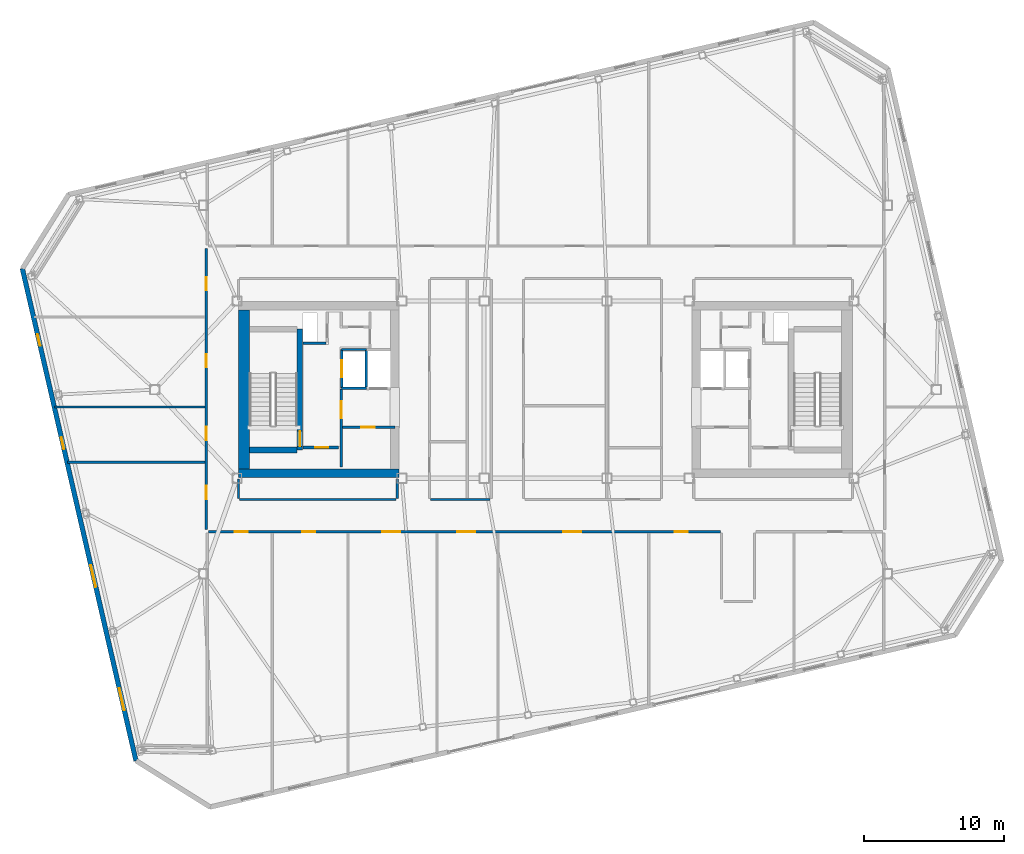
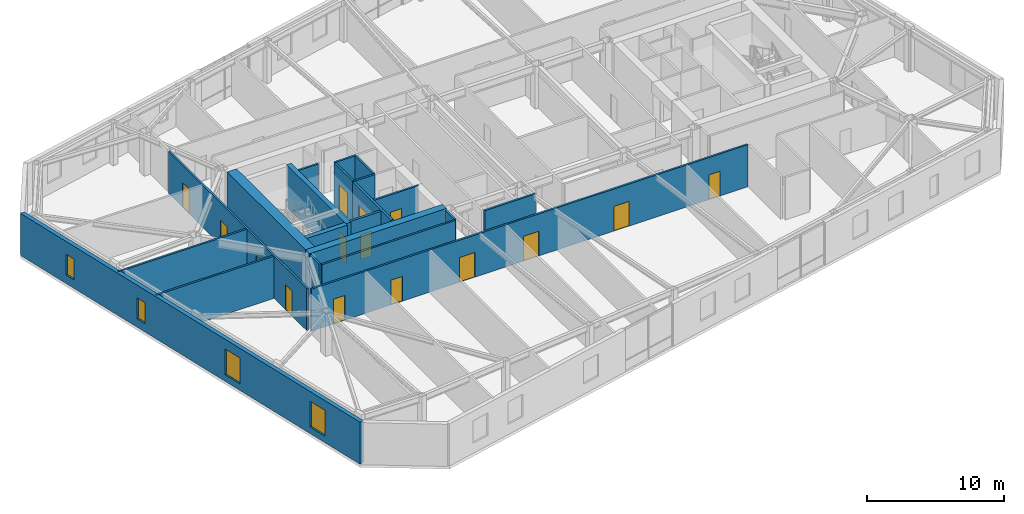
# One storey, part 16 of 23: 21 walls, 15 doors, 4 windows, 19 openings.
"""IFC4 building model written with IfcOpenShell, lengths in metres."""

from ifc_helpers import new_model, si_unit, direction, frame, frame_2d, origin, place, context, subcontext, project, spatial, rectangle, extrude, material, layer, layer_set, type_object, element, fill, save


model = new_model("IFC4")

# Units and contexts
model_context = context("Model", 3, precision=1e-05, world=origin(), true_north=direction((0.0, 1.0)))
body_context = subcontext(model_context, "Body", "Model", "MODEL_VIEW")
ifc_project = project(units=[si_unit("LENGTHUNIT", "METRE"), si_unit("AREAUNIT", "SQUARE_METRE"), si_unit("VOLUMEUNIT", "CUBIC_METRE"), si_unit("PLANEANGLEUNIT", "RADIAN"), si_unit("MASSUNIT", "GRAM", prefix="KILO")], contexts=[model_context])

# Site, building, storey
site_placement = place(None, origin())
site = spatial("IfcSite", under=ifc_project, at=site_placement, CompositionType="ELEMENT")
building_placement = place(site_placement, origin())
building = spatial("IfcBuilding", under=site, at=building_placement, Name="Tavrogorsk Clinical Tower", CompositionType="ELEMENT")
storey_placement = place(building_placement, frame((0.0, 0.0, 297.0)))
storey = spatial("IfcBuildingStorey", under=building, at=storey_placement, Name="L69", CompositionType="ELEMENT", Elevation=297.0)

# Wall, opening, door
ifc_material_1 = material(Name="Concrete B60", Category="concrete")
ifc_layer_1 = layer(ifc_material_1, 0.199951171875)
ifc_layer_set_1 = layer_set([ifc_layer_1], Name="Concrete B60")
wall_type_1 = type_object("IfcWallType", Name="CoreFireWall_200", PredefinedType="SOLIDWALL", material=ifc_layer_set_1)
wall_1_placement = place(storey_placement, frame((-17.3798828125, -4.139892578125, 0.0), z_axis=(0.0, 0.0, 1.0), x_axis=(1.0, 0.0, 0.0)))
wall_1 = element("IfcWall", 1, at=wall_1_placement, inside=storey, type_object=wall_type_1, Name="L69 Core West South Core Room Fire Wall", PredefinedType="SOLIDWALL", context=body_context, shape_type="SweptSolid", body=[
    extrude(rectangle(XDim=2.554931640625, YDim=0.199951171875, at=frame_2d((1.27734375, 0.0))), origin(), (0.0, 0.0, 1.0), 3.739990234375),
])
opening_1_placement = place(wall_1_placement, frame((0.8798828125, 0.0, 0.0)))
opening_1 = element("IfcOpeningElement", 2, at=opening_1_placement, cuts=wall_1, Name="Opening ID-02", PredefinedType="OPENING", context=body_context, shape_type="SweptSolid", body=[
    extrude(rectangle(XDim=0.949951171875, YDim=2.199951171875, at=frame_2d((0.47509765625, 1.10009765625))), frame((0.0, 0.10986328125, 0.0), z_axis=(0.0, -1.0, 0.0), x_axis=(1.0, 0.0, 0.0)), (0.0, 0.0, 1.0), 0.219970703125),
])
ifc_material_2 = material(Name="Laminated timber leaf on aluminium frame", Category="wood")
door_type_1 = type_object("IfcDoorType", Name="InteriorDoor_ID02_950", OperationType="NOTDEFINED", PredefinedType="DOOR", material=ifc_material_2)
door_1_placement = place(opening_1_placement, origin())
door_1 = element("IfcDoor", 3, at=door_1_placement, inside=storey, type_object=door_type_1, Name="L69 Core West South Core Room Door", OperationType="SINGLE_SWING_RIGHT", OverallHeight=2.199951171875, OverallWidth=0.949951171875, PredefinedType="DOOR", context=body_context, shape_type="SweptSolid", body=[
    extrude(rectangle(XDim=0.949951171875, YDim=2.199951171875, at=frame_2d((0.47509765625, 1.10009765625))), frame((0.0, 0.02490234375, 0.0), z_axis=(0.0, -1.0, 0.0), x_axis=(1.0, 0.0, 0.0)), (0.0, 0.0, 1.0), 0.050048828125),
])
fill(opening_1, door_1)

wall_2_placement = place(storey_placement, frame((-14.639892578125, -5.56005859375, 0.0), z_axis=(0.0, 0.0, 1.0), x_axis=(0.0, 1.0, 0.0)))
wall_2 = element("IfcWall", 4, at=wall_2_placement, inside=storey, type_object=wall_type_1, Name="L69 Core West Firefighting Lobby Fire Wall", PredefinedType="SOLIDWALL", context=body_context, shape_type="SweptSolid", body=[
    extrude(rectangle(XDim=5.60009765625, YDim=0.199951171875, at=frame_2d((2.800048828125, 0.0))), origin(), (0.0, 0.0, 1.0), 3.739990234375),
])
opening_2_placement = place(wall_2_placement, frame((3.510009765625, 0.0, 0.0)))
opening_2 = element("IfcOpeningElement", 5, at=opening_2_placement, cuts=wall_2, Name="Opening FD-01", PredefinedType="OPENING", context=body_context, shape_type="SweptSolid", body=[
    extrude(rectangle(XDim=1.199951171875, YDim=2.199951171875, at=frame_2d((0.60009765625, 1.10009765625))), frame((0.0, 0.10986328125, 0.0), z_axis=(0.0, -1.0, 0.0), x_axis=(1.0, 0.0, 0.0)), (0.0, 0.0, 1.0), 0.219970703125),
])
ifc_material_3 = material(Name="Galvanised steel fire-rated door assembly", Category="steel")
door_type_2 = type_object("IfcDoorType", Name="FireDoor_FD01_1200", OperationType="NOTDEFINED", PredefinedType="DOOR", material=ifc_material_3)
door_2_placement = place(opening_2_placement, origin())
door_2 = element("IfcDoor", 6, at=door_2_placement, inside=storey, type_object=door_type_2, Name="L69 Core West Firefighting Lobby Entry Door", OperationType="SINGLE_SWING_RIGHT", OverallHeight=2.199951171875, OverallWidth=1.199951171875, PredefinedType="DOOR", context=body_context, shape_type="SweptSolid", body=[
    extrude(rectangle(XDim=1.199951171875, YDim=2.199951171875, at=frame_2d((0.60009765625, 1.10009765625))), frame((0.0, 0.02490234375, 0.0), z_axis=(0.0, -1.0, 0.0), x_axis=(1.0, 0.0, 0.0)), (0.0, 0.0, 1.0), 0.050048828125),
])
fill(opening_2, door_2)

ifc_material_4 = material(Name="Lightweight concrete blockwork B15", Category="masonry")
ifc_layer_2 = layer(ifc_material_4, 0.159912109375)
ifc_layer_set_2 = layer_set([ifc_layer_2], Name="Lightweight concrete blockwork B15")
wall_type_2 = type_object("IfcWallType", Name="PartitionWall_160", PredefinedType="PARTITIONING", material=ifc_layer_set_2)
wall_3_placement = place(storey_placement, frame((-14.534912109375, -2.699951171875, 0.0), z_axis=(0.0, 0.0, 1.0), x_axis=(1.0, 0.0, 0.0)))
wall_3 = element("IfcWall", 7, at=wall_3_placement, inside=storey, type_object=wall_type_2, Name="L69 Core West Freed Mid-Bank North Partition", PredefinedType="PARTITIONING", context=body_context, shape_type="SweptSolid", body=[
    extrude(rectangle(XDim=3.73486328125, YDim=0.159912109375, at=frame_2d((1.867431640625, 0.0))), origin(), (0.0, 0.0, 1.0), 3.739990234375),
])
opening_3_placement = place(wall_3_placement, frame((1.35009765625, 0.0, 0.0)))
opening_3 = element("IfcOpeningElement", 8, at=opening_3_placement, cuts=wall_3, Name="Opening ID-02", PredefinedType="OPENING", context=body_context, shape_type="SweptSolid", body=[
    extrude(rectangle(XDim=0.949951171875, YDim=2.199951171875, at=frame_2d((0.47509765625, 1.10009765625))), frame((0.0, 0.08984375, 0.0), z_axis=(0.0, -1.0, 0.0), x_axis=(1.0, 0.0, 0.0)), (0.0, 0.0, 1.0), 0.179931640625),
])
door_3_placement = place(opening_3_placement, origin())
door_3 = element("IfcDoor", 9, at=door_3_placement, inside=storey, type_object=door_type_1, Name="L69 Core West Pharmacy Prep Door", OperationType="SINGLE_SWING_LEFT", OverallHeight=2.199951171875, OverallWidth=0.949951171875, PredefinedType="DOOR", context=body_context, shape_type="SweptSolid", body=[
    extrude(rectangle(XDim=0.949951171875, YDim=2.199951171875, at=frame_2d((0.47509765625, 1.10009765625))), frame((0.0, 0.02490234375, 0.0), z_axis=(0.0, -1.0, 0.0), x_axis=(1.0, 0.0, 0.0)), (0.0, 0.0, 1.0), 0.050048828125),
])
fill(opening_3, door_3)

# Wall, openings, doors
wall_4_placement = place(storey_placement, frame((-24.31005859375, -10.014892578125, 0.0), z_axis=(0.0, 0.0, 1.0), x_axis=(0.0, 1.0, 0.0)))
wall_4 = element("IfcWall", 10, at=wall_4_placement, inside=storey, type_object=wall_type_2, Name="L69 Corridor Partition 01", PredefinedType="PARTITIONING", context=body_context, shape_type="SweptSolid", body=[
    extrude(rectangle(XDim=20.1298828125, YDim=0.159912109375, at=frame_2d((10.06494140625, 0.0))), origin(), (0.0, 0.0, 1.0), 3.739990234375),
])
opening_4_placement = place(wall_4_placement, frame((2.169189453125, 0.0, 0.0)))
opening_4 = element("IfcOpeningElement", 11, at=opening_4_placement, cuts=wall_4, Name="Opening ID-02", PredefinedType="OPENING", context=body_context, shape_type="SweptSolid", body=[
    extrude(rectangle(XDim=0.949951171875, YDim=2.199951171875, at=frame_2d((0.47509765625, 1.10009765625))), frame((0.0, 0.08984375, 0.0), z_axis=(0.0, -1.0, 0.0), x_axis=(1.0, 0.0, 0.0)), (0.0, 0.0, 1.0), 0.179931640625),
])
opening_5_placement = place(wall_4_placement, frame((6.39990234375, 0.0, 0.0)))
opening_5 = element("IfcOpeningElement", 12, at=opening_5_placement, cuts=wall_4, Name="Opening ID-02", PredefinedType="OPENING", context=body_context, shape_type="SweptSolid", body=[
    extrude(rectangle(XDim=0.949951171875, YDim=2.199951171875, at=frame_2d((0.47509765625, 1.10009765625))), frame((0.0, 0.08984375, 0.0), z_axis=(0.0, -1.0, 0.0), x_axis=(1.0, 0.0, 0.0)), (0.0, 0.0, 1.0), 0.179931640625),
])
opening_6_placement = place(wall_4_placement, frame((11.60009765625, 0.0, 0.0)))
opening_6 = element("IfcOpeningElement", 13, at=opening_6_placement, cuts=wall_4, Name="Opening ID-02", PredefinedType="OPENING", context=body_context, shape_type="SweptSolid", body=[
    extrude(rectangle(XDim=0.949951171875, YDim=2.199951171875, at=frame_2d((0.47509765625, 1.10009765625))), frame((0.0, 0.08984375, 0.0), z_axis=(0.0, -1.0, 0.0), x_axis=(1.0, 0.0, 0.0)), (0.0, 0.0, 1.0), 0.179931640625),
])
opening_7_placement = place(wall_4_placement, frame((17.130859375, 0.0, 0.0)))
opening_7 = element("IfcOpeningElement", 14, at=opening_7_placement, cuts=wall_4, Name="Opening ID-02", PredefinedType="OPENING", context=body_context, shape_type="SweptSolid", body=[
    extrude(rectangle(XDim=0.949951171875, YDim=2.199951171875, at=frame_2d((0.47509765625, 1.10009765625))), frame((0.0, 0.08984375, 0.0), z_axis=(0.0, -1.0, 0.0), x_axis=(1.0, 0.0, 0.0)), (0.0, 0.0, 1.0), 0.179931640625),
])
door_4_placement = place(opening_4_placement, origin())
door_4 = element("IfcDoor", 15, at=door_4_placement, inside=storey, type_object=door_type_1, Name="L69 W Solarium Day Room & Lounge 1 Door", OperationType="SINGLE_SWING_RIGHT", OverallHeight=2.199951171875, OverallWidth=0.949951171875, PredefinedType="DOOR", context=body_context, shape_type="SweptSolid", body=[
    extrude(rectangle(XDim=0.949951171875, YDim=2.199951171875, at=frame_2d((0.47509765625, 1.10009765625))), frame((0.0, 0.02490234375, 0.0), z_axis=(0.0, -1.0, 0.0), x_axis=(1.0, 0.0, 0.0)), (0.0, 0.0, 1.0), 0.050048828125),
])
fill(opening_4, door_4)
door_5_placement = place(opening_5_placement, origin())
door_5 = element("IfcDoor", 16, at=door_5_placement, inside=storey, type_object=door_type_1, Name="L69 W Rehabilitation Therapy Suite 2 Door", OperationType="SINGLE_SWING_LEFT", OverallHeight=2.199951171875, OverallWidth=0.949951171875, PredefinedType="DOOR", context=body_context, shape_type="SweptSolid", body=[
    extrude(rectangle(XDim=0.949951171875, YDim=2.199951171875, at=frame_2d((0.47509765625, 1.10009765625))), frame((0.0, 0.02490234375, 0.0), z_axis=(0.0, -1.0, 0.0), x_axis=(1.0, 0.0, 0.0)), (0.0, 0.0, 1.0), 0.050048828125),
])
fill(opening_5, door_5)
door_6_placement = place(opening_6_placement, origin())
door_6 = element("IfcDoor", 17, at=door_6_placement, inside=storey, type_object=door_type_1, Name="L69 W Sub-Acute Observation Suite 3 Door", OperationType="SINGLE_SWING_RIGHT", OverallHeight=2.199951171875, OverallWidth=0.949951171875, PredefinedType="DOOR", context=body_context, shape_type="SweptSolid", body=[
    extrude(rectangle(XDim=0.949951171875, YDim=2.199951171875, at=frame_2d((0.47509765625, 1.10009765625))), frame((0.0, 0.02490234375, 0.0), z_axis=(0.0, -1.0, 0.0), x_axis=(1.0, 0.0, 0.0)), (0.0, 0.0, 1.0), 0.050048828125),
])
fill(opening_6, door_6)
door_7_placement = place(opening_7_placement, origin())
door_7 = element("IfcDoor", 18, at=door_7_placement, inside=storey, type_object=door_type_1, Name="L69 W Family Consultation Lounge 4 Door", OperationType="SINGLE_SWING_LEFT", OverallHeight=2.199951171875, OverallWidth=0.949951171875, PredefinedType="DOOR", context=body_context, shape_type="SweptSolid", body=[
    extrude(rectangle(XDim=0.949951171875, YDim=2.199951171875, at=frame_2d((0.47509765625, 1.10009765625))), frame((0.0, 0.02490234375, 0.0), z_axis=(0.0, -1.0, 0.0), x_axis=(1.0, 0.0, 0.0)), (0.0, 0.0, 1.0), 0.050048828125),
])
fill(opening_7, door_7)

wall_5_placement = place(storey_placement, frame((12.534912109375, -10.179931640625, 0.0), z_axis=(0.0, 0.0, 1.0), x_axis=(-1.0, 0.0, 0.0)))
wall_5 = element("IfcWall", 19, at=wall_5_placement, inside=storey, type_object=wall_type_2, Name="L69 Corridor Partition 08", PredefinedType="PARTITIONING", context=body_context, shape_type="SweptSolid", body=[
    extrude(rectangle(XDim=36.679931640625, YDim=0.159912109375, at=frame_2d((18.33984375, 0.0))), origin(), (0.0, 0.0, 1.0), 3.739990234375),
])
opening_8_placement = place(wall_5_placement, frame((33.85595703125, 0.0, 0.0)))
opening_8 = element("IfcOpeningElement", 20, at=opening_8_placement, cuts=wall_5, Name="Opening ID-02", PredefinedType="OPENING", context=body_context, shape_type="SweptSolid", body=[
    extrude(rectangle(XDim=0.949951171875, YDim=2.199951171875, at=frame_2d((0.47509765625, 1.10009765625))), frame((0.0, 0.08984375, 0.0), z_axis=(0.0, -1.0, 0.0), x_axis=(1.0, 0.0, 0.0)), (0.0, 0.0, 1.0), 0.179931640625),
])
opening_9_placement = place(wall_5_placement, frame((29.014892578125, 0.0, 0.0)))
opening_9 = element("IfcOpeningElement", 21, at=opening_9_placement, cuts=wall_5, Name="Opening ID-02", PredefinedType="OPENING", context=body_context, shape_type="SweptSolid", body=[
    extrude(rectangle(XDim=0.949951171875, YDim=2.199951171875, at=frame_2d((0.47509765625, 1.10009765625))), frame((0.0, 0.08984375, 0.0), z_axis=(0.0, -1.0, 0.0), x_axis=(1.0, 0.0, 0.0)), (0.0, 0.0, 1.0), 0.179931640625),
])
opening_10_placement = place(wall_5_placement, frame((22.93505859375, 0.0, 0.0)))
opening_10 = element("IfcOpeningElement", 22, at=opening_10_placement, cuts=wall_5, Name="Opening ID-01", PredefinedType="OPENING", context=body_context, shape_type="SweptSolid", body=[
    extrude(rectangle(XDim=1.300048828125, YDim=2.199951171875, at=frame_2d((0.64990234375, 1.10009765625))), frame((0.0, 0.08984375, 0.0), z_axis=(0.0, -1.0, 0.0), x_axis=(1.0, 0.0, 0.0)), (0.0, 0.0, 1.0), 0.179931640625),
])
opening_11_placement = place(wall_5_placement, frame((17.554931640625, 0.0, 0.0)))
opening_11 = element("IfcOpeningElement", 23, at=opening_11_placement, cuts=wall_5, Name="Opening ID-01", PredefinedType="OPENING", context=body_context, shape_type="SweptSolid", body=[
    extrude(rectangle(XDim=1.300048828125, YDim=2.199951171875, at=frame_2d((0.64990234375, 1.10009765625))), frame((0.0, 0.08984375, 0.0), z_axis=(0.0, -1.0, 0.0), x_axis=(1.0, 0.0, 0.0)), (0.0, 0.0, 1.0), 0.179931640625),
])
opening_12_placement = place(wall_5_placement, frame((9.969970703125, 0.0, 0.0)))
opening_12 = element("IfcOpeningElement", 24, at=opening_12_placement, cuts=wall_5, Name="Opening ID-01", PredefinedType="OPENING", context=body_context, shape_type="SweptSolid", body=[
    extrude(rectangle(XDim=1.300048828125, YDim=2.199951171875, at=frame_2d((0.64990234375, 1.10009765625))), frame((0.0, 0.08984375, 0.0), z_axis=(0.0, -1.0, 0.0), x_axis=(1.0, 0.0, 0.0)), (0.0, 0.0, 1.0), 0.179931640625),
])
opening_13_placement = place(wall_5_placement, frame((2.3291015625, 0.0, 0.0)))
opening_13 = element("IfcOpeningElement", 25, at=opening_13_placement, cuts=wall_5, Name="Opening ID-02", PredefinedType="OPENING", context=body_context, shape_type="SweptSolid", body=[
    extrude(rectangle(XDim=0.949951171875, YDim=2.199951171875, at=frame_2d((0.47509765625, 1.10009765625))), frame((0.0, 0.08984375, 0.0), z_axis=(0.0, -1.0, 0.0), x_axis=(1.0, 0.0, 0.0)), (0.0, 0.0, 1.0), 0.179931640625),
])
door_8_placement = place(opening_8_placement, origin())
door_8 = element("IfcDoor", 26, at=door_8_placement, inside=storey, type_object=door_type_1, Name="L69 South Clinical Case Seminar Room 01 Door", OperationType="SINGLE_SWING_LEFT", OverallHeight=2.199951171875, OverallWidth=0.949951171875, PredefinedType="DOOR", context=body_context, shape_type="SweptSolid", body=[
    extrude(rectangle(XDim=0.949951171875, YDim=2.199951171875, at=frame_2d((0.47509765625, 1.10009765625))), frame((0.0, 0.02490234375, 0.0), z_axis=(0.0, -1.0, 0.0), x_axis=(1.0, 0.0, 0.0)), (0.0, 0.0, 1.0), 0.050048828125),
])
fill(opening_8, door_8)
door_9_placement = place(opening_9_placement, origin())
door_9 = element("IfcDoor", 27, at=door_9_placement, inside=storey, type_object=door_type_1, Name="L69 South Staff Rest & Nourishment Lounge 02 Door", OperationType="SINGLE_SWING_RIGHT", OverallHeight=2.199951171875, OverallWidth=0.949951171875, PredefinedType="DOOR", context=body_context, shape_type="SweptSolid", body=[
    extrude(rectangle(XDim=0.949951171875, YDim=2.199951171875, at=frame_2d((0.47509765625, 1.10009765625))), frame((0.0, 0.02490234375, 0.0), z_axis=(0.0, -1.0, 0.0), x_axis=(1.0, 0.0, 0.0)), (0.0, 0.0, 1.0), 0.050048828125),
])
fill(opening_9, door_9)
door_10_placement = place(opening_13_placement, origin())
door_10 = element("IfcDoor", 28, at=door_10_placement, inside=storey, type_object=door_type_1, Name="L69 South Soiled Utility & Sluice Room 05 Door", OperationType="SINGLE_SWING_RIGHT", OverallHeight=2.199951171875, OverallWidth=0.949951171875, PredefinedType="DOOR", context=body_context, shape_type="SweptSolid", body=[
    extrude(rectangle(XDim=0.949951171875, YDim=2.199951171875, at=frame_2d((0.47509765625, 1.10009765625))), frame((0.0, 0.02490234375, 0.0), z_axis=(0.0, -1.0, 0.0), x_axis=(1.0, 0.0, 0.0)), (0.0, 0.0, 1.0), 0.050048828125),
])
fill(opening_13, door_10)
ifc_material_5 = material(Name="Antibacterial HPL medical leaf on aluminium frame", Category="aluminium")
door_type_3 = type_object("IfcDoorType", Name="WardBedDoor_ID01_1300", OperationType="NOTDEFINED", PredefinedType="DOOR", material=ifc_material_5)
door_11_placement = place(opening_10_placement, origin())
door_11 = element("IfcDoor", 29, at=door_11_placement, inside=storey, type_object=door_type_3, Name="L69 South Bariatric Observation Ward 03A Door", OperationType="SINGLE_SWING_LEFT", OverallHeight=2.199951171875, OverallWidth=1.300048828125, PredefinedType="DOOR", context=body_context, shape_type="SweptSolid", body=[
    extrude(rectangle(XDim=1.300048828125, YDim=2.199951171875, at=frame_2d((0.64990234375, 1.10009765625))), frame((0.0, 0.02490234375, 0.0), z_axis=(0.0, -1.0, 0.0), x_axis=(1.0, 0.0, 0.0)), (0.0, 0.0, 1.0), 0.050048828125),
])
fill(opening_10, door_11)
door_12_placement = place(opening_11_placement, origin())
door_12 = element("IfcDoor", 30, at=door_12_placement, inside=storey, type_object=door_type_3, Name="L69 South Acute Medical Ward 03B Door", OperationType="SINGLE_SWING_RIGHT", OverallHeight=2.199951171875, OverallWidth=1.300048828125, PredefinedType="DOOR", context=body_context, shape_type="SweptSolid", body=[
    extrude(rectangle(XDim=1.300048828125, YDim=2.199951171875, at=frame_2d((0.64990234375, 1.10009765625))), frame((0.0, 0.02490234375, 0.0), z_axis=(0.0, -1.0, 0.0), x_axis=(1.0, 0.0, 0.0)), (0.0, 0.0, 1.0), 0.050048828125),
])
fill(opening_11, door_12)
door_13_placement = place(opening_12_placement, origin())
door_13 = element("IfcDoor", 31, at=door_13_placement, inside=storey, type_object=door_type_3, Name="L69 South Surgical Step-Down Ward 04 Door", OperationType="SINGLE_SWING_LEFT", OverallHeight=2.199951171875, OverallWidth=1.300048828125, PredefinedType="DOOR", context=body_context, shape_type="SweptSolid", body=[
    extrude(rectangle(XDim=1.300048828125, YDim=2.199951171875, at=frame_2d((0.64990234375, 1.10009765625))), frame((0.0, 0.02490234375, 0.0), z_axis=(0.0, -1.0, 0.0), x_axis=(1.0, 0.0, 0.0)), (0.0, 0.0, 1.0), 0.050048828125),
])
fill(opening_12, door_13)

# Walls
wall_6_placement = place(storey_placement, frame((-8.235107421875, -7.8701171875, 0.0), z_axis=(0.0, 0.0, 1.0), x_axis=(1.0, 0.0, 0.0)))
element("IfcWall", 32, at=wall_6_placement, inside=storey, type_object=wall_type_2, Name="L69 Corridor Partition 22", PredefinedType="PARTITIONING", context=body_context, shape_type="SweptSolid", body=[
    extrude(rectangle(XDim=4.27001953125, YDim=0.159912109375, at=frame_2d((2.135009765625, 0.0))), origin(), (0.0, 0.0, 1.0), 3.739990234375),
])
for number, where, z_axis, x_axis, name in (
    (33, (-10.6298828125, -7.784912109375, 0.0), (0.0, 0.0, 1.0), (0.0, 1.0, 0.0), "L69 Corridor Partition 23"),
    (34, (-22.0, -6.419921875, 0.0), (0.0, 0.0, 1.0), (0.0, -1.0, 0.0), "L69 Corridor Partition 27"),
):
    element("IfcWall", number, at=place(storey_placement, frame(where, z_axis=z_axis, x_axis=x_axis)), inside=storey, type_object=wall_type_2, Name=name, PredefinedType="PARTITIONING", context=body_context, shape_type="SweptSolid", body=[
        extrude(rectangle(XDim=1.364990234375, YDim=0.159912109375, at=frame_2d((0.6826171875, 0.0))), origin(), (0.0, 0.0, 1.0), 3.739990234375),
    ])
wall_7_placement = place(storey_placement, frame((-21.9150390625, -7.8701171875, 0.0), z_axis=(0.0, 0.0, 1.0), x_axis=(1.0, 0.0, 0.0)))
element("IfcWall", 35, at=wall_7_placement, inside=storey, type_object=wall_type_2, Name="L69 Corridor Partition 28", PredefinedType="PARTITIONING", context=body_context, shape_type="SweptSolid", body=[
    extrude(rectangle(XDim=11.199951171875, YDim=0.159912109375, at=frame_2d((5.60009765625, 0.0))), origin(), (0.0, 0.0, 1.0), 3.739990234375),
])
wall_8_placement = place(storey_placement, frame((-34.26171875, -5.199951171875, 0.0), z_axis=(0.0, 0.0, 1.0), x_axis=(1.0, 0.0, 0.0)))
element("IfcWall", 36, at=wall_8_placement, inside=storey, type_object=wall_type_2, Name="L69 W Wing Divider 1", PredefinedType="PARTITIONING", context=body_context, shape_type="SweptSolid", body=[
    extrude(rectangle(XDim=9.86669921875, YDim=0.159912109375, at=frame_2d((4.933349609375, 0.0))), origin(), (0.0, 0.0, 1.0), 3.739990234375),
])
wall_9_placement = place(storey_placement, frame((-35.173583984375, -1.25, 0.0), z_axis=(0.0, 0.0, 1.0), x_axis=(1.0, 0.0, 0.0)))
element("IfcWall", 37, at=wall_9_placement, inside=storey, type_object=wall_type_2, Name="L69 W Wing Divider 2", PredefinedType="PARTITIONING", context=body_context, shape_type="SweptSolid", body=[
    extrude(rectangle(XDim=10.778564453125, YDim=0.159912109375, at=frame_2d((5.38916015625, 0.0))), origin(), (0.0, 0.0, 1.0), 3.739990234375),
])

# Wall, openings, windows
ifc_material_6 = material(Name="Precast concrete B45 with limestone cladding", Category="masonry")
ifc_layer_3 = layer(ifc_material_6, 0.340087890625)
ifc_layer_set_3 = layer_set([ifc_layer_3], Name="Precast concrete B45 with limestone cladding")
wall_type_3 = type_object("IfcWallType", Name="PrecastLimestoneWall_340", PredefinedType="STANDARD", material=ifc_layer_set_3)
wall_10_placement = place(storey_placement, frame((-37.48583984375, 8.676025390625, 0.0), z_axis=(0.0, 0.0, 1.0), x_axis=(0.224953091034, -0.974369594576, 0.0)))
wall_10 = element("IfcWall", 38, at=wall_10_placement, inside=storey, type_object=wall_type_3, Name="L69 W Pleated Limestone Wing Wall", PredefinedType="STANDARD", context=body_context, shape_type="SweptSolid", body=[
    extrude(rectangle(XDim=36.199951171875, YDim=0.340087890625, at=frame_2d((18.10009765625, 0.0))), origin(), (0.0, 0.0, 1.0), 3.739990234375),
])
opening_14_placement = place(wall_10_placement, frame((4.824951171875, 0.0, 0.75)))
opening_14 = element("IfcOpeningElement", 39, at=opening_14_placement, cuts=wall_10, Name="Opening WN-06", PredefinedType="OPENING", context=body_context, shape_type="SweptSolid", body=[
    extrude(rectangle(XDim=0.85009765625, YDim=1.85009765625, at=frame_2d((0.425048828125, 0.925048828125))), frame((0.0, 0.179931640625, 0.0), z_axis=(0.0, -1.0, 0.0), x_axis=(1.0, 0.0, 0.0)), (0.0, 0.0, 1.0), 0.360107421875),
])
opening_15_placement = place(wall_10_placement, frame((12.425048828125, 0.0, 0.75)))
opening_15 = element("IfcOpeningElement", 40, at=opening_15_placement, cuts=wall_10, Name="Opening WN-06", PredefinedType="OPENING", context=body_context, shape_type="SweptSolid", body=[
    extrude(rectangle(XDim=0.85009765625, YDim=1.85009765625, at=frame_2d((0.425048828125, 0.925048828125))), frame((0.0, 0.179931640625, 0.0), z_axis=(0.0, -1.0, 0.0), x_axis=(1.0, 0.0, 0.0)), (0.0, 0.0, 1.0), 0.360107421875),
])
opening_16_placement = place(wall_10_placement, frame((21.824951171875, 0.0, 0.580078125)))
opening_16 = element("IfcOpeningElement", 41, at=opening_16_placement, cuts=wall_10, Name="Opening WN-07", PredefinedType="OPENING", context=body_context, shape_type="SweptSolid", body=[
    extrude(rectangle(XDim=1.60009765625, YDim=2.300048828125, at=frame_2d((0.800048828125, 1.14990234375))), frame((0.0, 0.179931640625, 0.0), z_axis=(0.0, -1.0, 0.0), x_axis=(1.0, 0.0, 0.0)), (0.0, 0.0, 1.0), 0.360107421875),
])
opening_17_placement = place(wall_10_placement, frame((30.875, 0.0, 0.580078125)))
opening_17 = element("IfcOpeningElement", 42, at=opening_17_placement, cuts=wall_10, Name="Opening WN-07", PredefinedType="OPENING", context=body_context, shape_type="SweptSolid", body=[
    extrude(rectangle(XDim=1.60009765625, YDim=2.300048828125, at=frame_2d((0.800048828125, 1.14990234375))), frame((0.0, 0.179931640625, 0.0), z_axis=(0.0, -1.0, 0.0), x_axis=(1.0, 0.0, 0.0)), (0.0, 0.0, 1.0), 0.360107421875),
])
ifc_material_7 = material(Name="Thermally broken aluminium frame and triple IGU", Category="aluminium")
window_type_1 = type_object("IfcWindowType", Name="MullionSubWin_850x1850", PartitioningType="SINGLE_PANEL", PredefinedType="WINDOW", material=ifc_material_7)
window_1_placement = place(opening_14_placement, origin())
window_1 = element("IfcWindow", 43, at=window_1_placement, inside=storey, type_object=window_type_1, Name="L69 W Pleat Mullion Window 1B", OverallHeight=1.85009765625, OverallWidth=0.85009765625, PartitioningType="SINGLE_PANEL", PredefinedType="WINDOW", context=body_context, shape_type="SweptSolid", body=[
    extrude(rectangle(XDim=0.85009765625, YDim=1.85009765625, at=frame_2d((0.425048828125, 0.925048828125))), frame((0.0, 0.030029296875, 0.0), z_axis=(0.0, -1.0, 0.0), x_axis=(1.0, 0.0, 0.0)), (0.0, 0.0, 1.0), 0.06005859375),
])
fill(opening_14, window_1)
window_2_placement = place(opening_15_placement, origin())
window_2 = element("IfcWindow", 44, at=window_2_placement, inside=storey, type_object=window_type_1, Name="L69 W Pleat Mullion Window 2A", OverallHeight=1.85009765625, OverallWidth=0.85009765625, PartitioningType="SINGLE_PANEL", PredefinedType="WINDOW", context=body_context, shape_type="SweptSolid", body=[
    extrude(rectangle(XDim=0.85009765625, YDim=1.85009765625, at=frame_2d((0.425048828125, 0.925048828125))), frame((0.0, 0.030029296875, 0.0), z_axis=(0.0, -1.0, 0.0), x_axis=(1.0, 0.0, 0.0)), (0.0, 0.0, 1.0), 0.06005859375),
])
fill(opening_15, window_2)
ifc_material_8 = material(Name="Thermally broken aluminium frame and triple IGU", Category="aluminium")
window_type_2 = type_object("IfcWindowType", Name="PleatSlotWin_1600x2300", PartitioningType="SINGLE_PANEL", PredefinedType="WINDOW", material=ifc_material_8)
window_3_placement = place(opening_16_placement, origin())
window_3 = element("IfcWindow", 45, at=window_3_placement, inside=storey, type_object=window_type_2, Name="L69 W Pleat Slot Window 3", OverallHeight=2.300048828125, OverallWidth=1.60009765625, PartitioningType="SINGLE_PANEL", PredefinedType="WINDOW", context=body_context, shape_type="SweptSolid", body=[
    extrude(rectangle(XDim=1.60009765625, YDim=2.300048828125, at=frame_2d((0.800048828125, 1.14990234375))), frame((0.0, 0.030029296875, 0.0), z_axis=(0.0, -1.0, 0.0), x_axis=(1.0, 0.0, 0.0)), (0.0, 0.0, 1.0), 0.06005859375),
])
fill(opening_16, window_3)
window_4_placement = place(opening_17_placement, origin())
window_4 = element("IfcWindow", 46, at=window_4_placement, inside=storey, type_object=window_type_2, Name="L69 W Pleat Slot Window 4", OverallHeight=2.300048828125, OverallWidth=1.60009765625, PartitioningType="SINGLE_PANEL", PredefinedType="WINDOW", context=body_context, shape_type="SweptSolid", body=[
    extrude(rectangle(XDim=1.60009765625, YDim=2.300048828125, at=frame_2d((0.800048828125, 1.14990234375))), frame((0.0, 0.030029296875, 0.0), z_axis=(0.0, -1.0, 0.0), x_axis=(1.0, 0.0, 0.0)), (0.0, 0.0, 1.0), 0.06005859375),
])
fill(opening_17, window_4)

# Wall, opening, door
ifc_material_9 = material(Name="Lightweight concrete blockwork B25", Category="masonry")
ifc_layer_4 = layer(ifc_material_9, 0.159912109375)
ifc_layer_set_4 = layer_set([ifc_layer_4], Name="Lightweight concrete blockwork B25")
wall_type_4 = type_object("IfcWallType", Name="ShaftWall_160", PredefinedType="PARTITIONING", material=ifc_layer_set_4)
wall_11_placement = place(storey_placement, frame((-14.60009765625, 0.1201171875, 0.0), z_axis=(0.0, 0.0, 1.0), x_axis=(0.0, 1.0, 0.0)))
wall_11 = element("IfcWall", 47, at=wall_11_placement, inside=storey, type_object=wall_type_4, Name="L69 FFL-W Firefighting Lift Front Wall", PredefinedType="PARTITIONING", context=body_context, shape_type="SweptSolid", body=[
    extrude(rectangle(XDim=2.739990234375, YDim=0.159912109375, at=frame_2d((1.3701171875, 0.0))), origin(), (0.0, 0.0, 1.0), 3.739990234375),
])
opening_18_placement = place(wall_11_placement, frame((0.77001953125, 0.0, 0.0)))
opening_18 = element("IfcOpeningElement", 48, at=opening_18_placement, cuts=wall_11, Name="Opening LD", PredefinedType="OPENING", context=body_context, shape_type="SweptSolid", body=[
    extrude(rectangle(XDim=1.199951171875, YDim=2.199951171875, at=frame_2d((0.60009765625, 1.10009765625))), frame((0.0, 0.08984375, 0.0), z_axis=(0.0, -1.0, 0.0), x_axis=(1.0, 0.0, 0.0)), (0.0, 0.0, 1.0), 0.179931640625),
])
ifc_material_10 = material(Name="Brushed stainless steel AISI 304 sliding doors", Category="steel")
door_type_4 = type_object("IfcDoorType", Name="LiftLandingDoor_LD_1200", OperationType="SLIDING_TO_LEFT", PredefinedType="DOOR", material=ifc_material_10)
door_14_placement = place(opening_18_placement, origin())
door_14 = element("IfcDoor", 49, at=door_14_placement, inside=storey, type_object=door_type_4, Name="L69 FFL-W Sliding Lift Landing Door", OperationType="SLIDING_TO_LEFT", OverallHeight=2.199951171875, OverallWidth=1.199951171875, PredefinedType="DOOR", context=body_context, shape_type="SweptSolid", body=[
    extrude(rectangle(XDim=1.199951171875, YDim=2.199951171875, at=frame_2d((0.60009765625, 1.10009765625))), frame((0.0, 0.02490234375, 0.0), z_axis=(0.0, -1.0, 0.0), x_axis=(1.0, 0.0, 0.0)), (0.0, 0.0, 1.0), 0.050048828125),
])
fill(opening_18, door_14)

# Walls
for number, where, z_axis, x_axis, name in (
    (50, (-14.60009765625, 0.10009765625, 0.0), (0.0, 0.0, 1.0), (1.0, 0.0, 0.0), "L69 FFL-W Shaft South Wall"),
    (51, (-14.60009765625, 2.8798828125, 0.0), (0.0, 0.0, 1.0), (1.0, 0.0, 0.0), "L69 FFL-W Shaft North Wall"),
):
    element("IfcWall", number, at=place(storey_placement, frame(where, z_axis=z_axis, x_axis=x_axis)), inside=storey, type_object=wall_type_4, Name=name, PredefinedType="PARTITIONING", context=body_context, shape_type="SweptSolid", body=[
        extrude(rectangle(XDim=1.760009765625, YDim=0.159912109375, at=frame_2d((0.8798828125, 0.0))), origin(), (0.0, 0.0, 1.0), 3.739990234375),
    ])
wall_12_placement = place(storey_placement, frame((-12.840087890625, 0.179931640625, 0.0), z_axis=(0.0, 0.0, 1.0), x_axis=(0.0, 1.0, 0.0)))
element("IfcWall", 52, at=wall_12_placement, inside=storey, type_object=wall_type_4, Name="L69 FFL-W Shaft Back Wall", PredefinedType="PARTITIONING", context=body_context, shape_type="SweptSolid", body=[
    extrude(rectangle(XDim=2.6201171875, YDim=0.159912109375, at=frame_2d((1.31005859375, 0.0))), origin(), (0.0, 0.0, 1.0), 3.739990234375),
])
wall_13_placement = place(storey_placement, frame((-17.3798828125, 3.320068359375, 0.0), z_axis=(0.0, 0.0, 1.0), x_axis=(1.0, 0.0, 0.0)))
element("IfcWall", 53, at=wall_13_placement, inside=storey, type_object=wall_type_4, Name="L69 Core West Riser South Wall", PredefinedType="PARTITIONING", context=body_context, shape_type="SweptSolid", body=[
    extrude(rectangle(XDim=1.65478515625, YDim=0.159912109375, at=frame_2d((0.827392578125, 0.0))), origin(), (0.0, 0.0, 1.0), 3.739990234375),
])

# Wall, opening, door
ifc_material_11 = material(Name="Concrete B80", Category="concrete")
ifc_layer_5 = layer(ifc_material_11, 0.39990234375)
ifc_layer_set_5 = layer_set([ifc_layer_5], Name="Concrete B80")
wall_type_5 = type_object("IfcWallType", Name="ShearWall_400", PredefinedType="SHEAR", material=ifc_layer_set_5)
wall_14_placement = place(storey_placement, frame((-17.60009765625, -4.324951171875, 0.0), z_axis=(0.0, 0.0, 1.0), x_axis=(0.0, 1.0, 0.0)))
wall_14 = element("IfcWall", 54, at=wall_14_placement, inside=storey, type_object=wall_type_5, Name="L69 Core West Stair Shaft Inner Shear Wall", PredefinedType="SHEAR", context=body_context, shape_type="SweptSolid", body=[
    extrude(rectangle(XDim=8.64990234375, YDim=0.39990234375, at=frame_2d((4.324951171875, 0.0))), origin(), (0.0, 0.0, 1.0), 3.739990234375),
])
opening_19_placement = place(wall_14_placement, frame((0.25, 0.0, 0.0)))
opening_19 = element("IfcOpeningElement", 55, at=opening_19_placement, cuts=wall_14, Name="Opening SD-01", PredefinedType="OPENING", context=body_context, shape_type="SweptSolid", body=[
    extrude(rectangle(XDim=1.10009765625, YDim=2.199951171875, at=frame_2d((0.550048828125, 1.10009765625))), frame((0.0, 0.2099609375, 0.0), z_axis=(0.0, -1.0, 0.0), x_axis=(1.0, 0.0, 0.0)), (0.0, 0.0, 1.0), 0.419921875),
])
ifc_material_12 = material(Name="Galvanised steel smoke-tight fire door assembly", Category="steel")
door_type_5 = type_object("IfcDoorType", Name="StairFireDoor_SD01_1100", OperationType="NOTDEFINED", PredefinedType="DOOR", material=ifc_material_12)
door_15_placement = place(opening_19_placement, origin())
door_15 = element("IfcDoor", 56, at=door_15_placement, inside=storey, type_object=door_type_5, Name="L69 ST-W Exit Stair Door", OperationType="SINGLE_SWING_LEFT", OverallHeight=2.199951171875, OverallWidth=1.10009765625, PredefinedType="DOOR", context=body_context, shape_type="SweptSolid", body=[
    extrude(rectangle(XDim=1.10009765625, YDim=2.199951171875, at=frame_2d((0.550048828125, 1.10009765625))), frame((0.0, 0.02490234375, 0.0), z_axis=(0.0, -1.0, 0.0), x_axis=(1.0, 0.0, 0.0)), (0.0, 0.0, 1.0), 0.050048828125),
])
fill(opening_19, door_15)

# Walls
wall_15_placement = place(storey_placement, frame((-21.199951171875, -4.324951171875, 0.0), z_axis=(0.0, 0.0, 1.0), x_axis=(1.0, 0.0, 0.0)))
element("IfcWall", 57, at=wall_15_placement, inside=storey, type_object=wall_type_5, Name="L69 Core West Stair Shaft South Shear Wall", PredefinedType="SHEAR", context=body_context, shape_type="SweptSolid", body=[
    extrude(rectangle(XDim=3.39990234375, YDim=0.39990234375, at=frame_2d((1.699951171875, 0.0))), origin(), (0.0, 0.0, 1.0), 3.739990234375),
])
ifc_material_13 = material(Name="Concrete B80", Category="concrete")
ifc_layer_6 = layer(ifc_material_13, 0.60009765625)
ifc_layer_set_6 = layer_set([ifc_layer_6], Name="Concrete B80")
wall_type_6 = type_object("IfcWallType", Name="ShearWall_600", PredefinedType="SHEAR", material=ifc_layer_set_6)
wall_16_placement = place(storey_placement, frame((-22.0, -6.0, 0.0), z_axis=(0.0, 0.0, 1.0), x_axis=(1.0, 0.0, 0.0)))
element("IfcWall", 58, at=wall_16_placement, inside=storey, type_object=wall_type_6, Name="L69 Core West South Shear Wall", PredefinedType="SHEAR", context=body_context, shape_type="SweptSolid", body=[
    extrude(rectangle(XDim=11.5, YDim=0.60009765625, at=frame_2d((5.75, 0.0))), origin(), (0.0, 0.0, 1.0), 3.739990234375),
])
ifc_material_14 = material(Name="Concrete B80", Category="concrete")
ifc_layer_7 = layer(ifc_material_14, 0.800048828125)
ifc_layer_set_7 = layer_set([ifc_layer_7], Name="Concrete B80")
wall_type_7 = type_object("IfcWallType", Name="ShearWall_800", PredefinedType="SHEAR", material=ifc_layer_set_7)
wall_17_placement = place(storey_placement, frame((-21.60009765625, -5.699951171875, 0.0), z_axis=(0.0, 0.0, 1.0), x_axis=(0.0, 1.0, 0.0)))
element("IfcWall", 59, at=wall_17_placement, inside=storey, type_object=wall_type_7, Name="L69 Core West End Shear Wall", PredefinedType="SHEAR", context=body_context, shape_type="SweptSolid", body=[
    extrude(rectangle(XDim=11.39990234375, YDim=0.800048828125, at=frame_2d((5.699951171875, 0.0))), origin(), (0.0, 0.0, 1.0), 3.739990234375),
])

save(model, "model.ifc")
